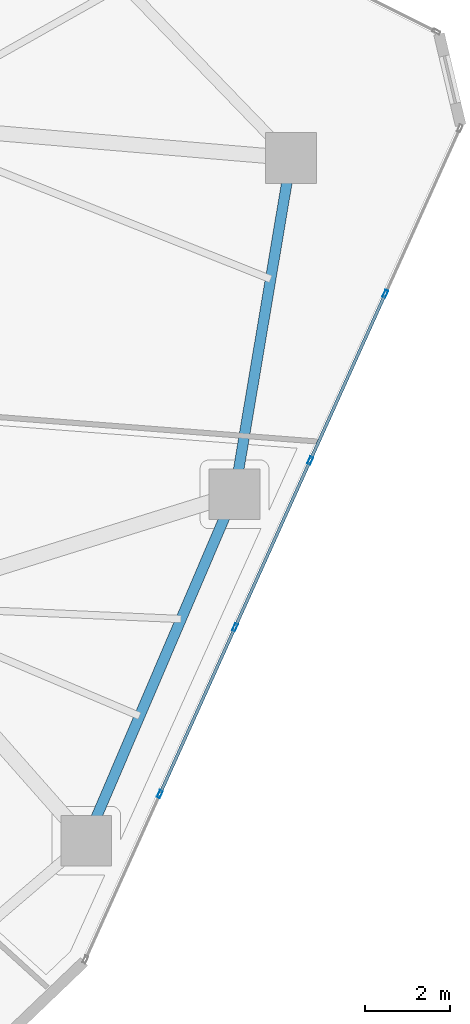
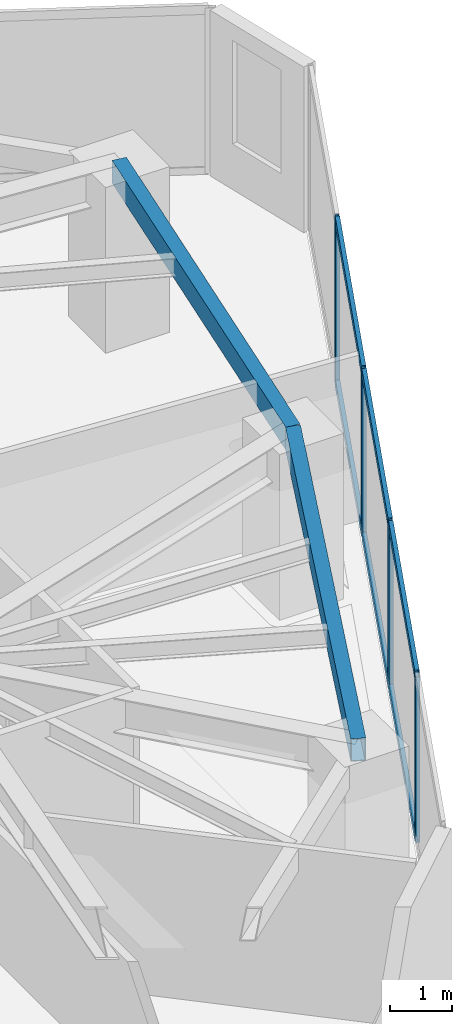
# One storey, part 10 of 22: 10 members, 2 beams, 1 element without a shape of its own.
"""IFC4 building model written with IfcOpenShell, lengths in metres."""

from ifc_helpers import new_model, si_unit, direction, frame, origin, origin_2d, place, context, subcontext, project, spatial, hollow_rectangle, extrude, source, transform, mapped, material, layer, layer_set, material_profile, profile_set, type_object, type_shapes, element, aggregate, save


model = new_model("IFC4")

# Units and contexts
model_context = context("Model", 3, precision=1e-05, world=origin(), true_north=direction((0.0, 1.0)))
body_context = subcontext(model_context, "Body", "Model", "MODEL_VIEW")
ifc_project = project(units=[si_unit("LENGTHUNIT", "METRE"), si_unit("AREAUNIT", "SQUARE_METRE"), si_unit("VOLUMEUNIT", "CUBIC_METRE"), si_unit("PLANEANGLEUNIT", "RADIAN"), si_unit("MASSUNIT", "GRAM", prefix="KILO")], contexts=[model_context])

# Site, building, storey
site_placement = place(None, origin())
site = spatial("IfcSite", under=ifc_project, at=site_placement, CompositionType="ELEMENT")
building_placement = place(site_placement, origin())
building = spatial("IfcBuilding", under=site, at=building_placement, Name="Talar Marvaseh", CompositionType="ELEMENT")
storey_placement = place(building_placement, frame((0.0, 0.0, 154.199951171875)))
storey = spatial("IfcBuildingStorey", under=building, at=storey_placement, Name="L40", CompositionType="ELEMENT", Elevation=154.199951171875)

# Beams
ifc_material_1 = material(Name="Steel S355", Category="steel")
ifc_material_profile_1 = material_profile(ifc_material_1, hollow_rectangle(XDim=0.25, YDim=0.449951171875, WallThickness=0.01611328125, at=origin_2d()), Name="RHS450x250x16")
ifc_profile_set_1 = profile_set([ifc_material_profile_1], Name="Steel S355")
beam_type = type_object("IfcBeamType", Name="Zone 2 Perimeter Spandrel Beam RHS450x250x16", PredefinedType="SPANDREL", material=ifc_profile_set_1)
beam_1_placement = place(storey_placement, frame((43.0439453125, 36.075927734375, 3.054931640625), z_axis=(-0.165641685249, -0.986186002795, 0.0), x_axis=(0.986186002795, -0.165641685249, 0.0)))
element("IfcBeam", 1, at=beam_1_placement, inside=storey, type_object=beam_type, Name="L40 Zone 2 Perimeter Spandrel Beam RHS450x250x16", PredefinedType="SPANDREL", context=body_context, shape_type="SweptSolid", body=[
    extrude(hollow_rectangle(XDim=0.25, YDim=0.449951171875, WallThickness=0.01611328125, at=origin_2d()), origin(), (0.0, 0.0, 1.0), 8.059326171875),
])
beam_2_placement = place(storey_placement, frame((41.708984375, 28.1279296875, 3.054931640625), z_axis=(-0.393369955619, -0.919380268451, 0.0), x_axis=(0.919380268451, -0.393369955619, 0.0)))
element("IfcBeam", 2, at=beam_2_placement, inside=storey, type_object=beam_type, Name="L40 Zone 2 Perimeter Spandrel Beam RHS450x250x16", PredefinedType="SPANDREL", context=body_context, shape_type="SweptSolid", body=[
    extrude(hollow_rectangle(XDim=0.25, YDim=0.449951171875, WallThickness=0.01611328125, at=origin_2d()), origin(), (0.0, 0.0, 1.0), 8.905029296875),
])

# Curtain wall, members
ifc_material_2 = material(Name="Architectural Aluminium", Category="aluminium")
ifc_layer = layer(ifc_material_2, 0.199951171875)
ifc_layer_set = layer_set([ifc_layer], Name="Architectural Aluminium")
curtain_wall_type = type_object("IfcCurtainWallType", Name="Unitised Acoustic Library Curtain Wall Z2", PredefinedType="NOTDEFINED", material=ifc_layer_set)
curtain_wall_placement = place(storey_placement, origin())
curtain_wall = element("IfcCurtainWall", 3, at=curtain_wall_placement, inside=storey, type_object=curtain_wall_type, Name="L40 Unitised Acoustic Library Curtain Wall Z2", PredefinedType="NOTDEFINED")
ifc_material_profile_2 = material_profile(ifc_material_2, hollow_rectangle(XDim=0.074951171875, YDim=0.179931640625, WallThickness=0.0048828125, at=origin_2d()), Name="RHS180x75x5")
ifc_profile_set_2 = profile_set([ifc_material_profile_2], Name="Architectural Aluminium")
member_type_1 = type_object("IfcMemberType", Name="Unitised Curtain Wall Transom RHS180x75x5", PredefinedType="USERDEFINED", material=ifc_profile_set_2)
shared_shape_1 = source(origin(), body_context, "Body", "SweptSolid", [
    extrude(hollow_rectangle(XDim=0.074951171875, YDim=0.179931640625, WallThickness=0.0048828125, at=origin_2d()), origin(), (0.0, 0.0, 1.0), 4.24853515625),
])
member_1_placement = place(storey_placement, frame((45.259033203125, 32.834716796875, 0.03759765625), z_axis=(-0.410878337072, -0.911690184287, 0.0), x_axis=(0.911690184287, -0.410878337072, 0.0)))
member_1 = element("IfcMember", 4, at=member_1_placement, type_object=member_type_1, Name="CW-Z2 transom 2.1", ObjectType="TRANSOM", PredefinedType="USERDEFINED", context=body_context, shape_type="MappedRepresentation", body=[
    mapped(shared_shape_1, transform((0.0, 0.0, 0.0), x_axis=(1.0, 0.0, 0.0), y_axis=(0.0, 1.0, 0.0), z_axis=(0.0, 0.0, 1.0), scale=1.0)),
])
member_2_placement = place(storey_placement, frame((45.259033203125, 32.834716796875, 3.242431640625), z_axis=(-0.410878337072, -0.911690184287, 0.0), x_axis=(0.911690184287, -0.410878337072, 0.0)))
member_2 = element("IfcMember", 5, at=member_2_placement, type_object=member_type_1, Name="CW-Z2 transom 2.2", ObjectType="TRANSOM", PredefinedType="USERDEFINED", context=body_context, shape_type="MappedRepresentation", body=[
    mapped(shared_shape_1, transform((0.0, 0.0, 0.0), x_axis=(1.0, 0.0, 0.0), y_axis=(0.0, 1.0, 0.0), z_axis=(0.0, 0.0, 1.0), scale=1.0)),
])
member_3_placement = place(storey_placement, frame((41.706298828125, 24.951171875, 0.03759765625), z_axis=(-0.410878337072, -0.911690184287, 0.0), x_axis=(0.911690184287, -0.410878337072, 0.0)))
member_3 = element("IfcMember", 6, at=member_3_placement, type_object=member_type_1, Name="CW-Z2 transom 4.1", ObjectType="TRANSOM", PredefinedType="USERDEFINED", context=body_context, shape_type="MappedRepresentation", body=[
    mapped(shared_shape_1, transform((0.0, 0.0, 0.0), x_axis=(1.0, 0.0, 0.0), y_axis=(0.0, 1.0, 0.0), z_axis=(0.0, 0.0, 1.0), scale=1.0)),
])
member_4_placement = place(storey_placement, frame((41.706298828125, 24.951171875, 3.242431640625), z_axis=(-0.410878337072, -0.911690184287, 0.0), x_axis=(0.911690184287, -0.410878337072, 0.0)))
member_4 = element("IfcMember", 7, at=member_4_placement, type_object=member_type_1, Name="CW-Z2 transom 4.2", ObjectType="TRANSOM", PredefinedType="USERDEFINED", context=body_context, shape_type="MappedRepresentation", body=[
    mapped(shared_shape_1, transform((0.0, 0.0, 0.0), x_axis=(1.0, 0.0, 0.0), y_axis=(0.0, 1.0, 0.0), z_axis=(0.0, 0.0, 1.0), scale=1.0)),
])
shared_shape_2 = source(origin(), body_context, "Body", "SweptSolid", [
    extrude(hollow_rectangle(XDim=0.074951171875, YDim=0.179931640625, WallThickness=0.0048828125, at=origin_2d()), origin(), (0.0, 0.0, 1.0), 4.248779296875),
])
type_shapes(member_type_1, [shared_shape_1, shared_shape_2])
member_5_placement = place(storey_placement, frame((43.482666015625, 28.89306640625, 0.03759765625), z_axis=(-0.410856811868, -0.911699884908, 0.0), x_axis=(0.911699884908, -0.410856811868, 0.0)))
member_5 = element("IfcMember", 8, at=member_5_placement, type_object=member_type_1, Name="CW-Z2 transom 3.1", ObjectType="TRANSOM", PredefinedType="USERDEFINED", context=body_context, shape_type="MappedRepresentation", body=[
    mapped(shared_shape_2, transform((0.0, 0.0, 0.0), x_axis=(1.0, 0.0, 0.0), y_axis=(0.0, 1.0, 0.0), z_axis=(0.0, 0.0, 1.0), scale=1.0)),
])
member_6_placement = place(storey_placement, frame((43.482666015625, 28.89306640625, 3.242431640625), z_axis=(-0.410856811868, -0.911699884908, 0.0), x_axis=(0.911699884908, -0.410856811868, 0.0)))
member_6 = element("IfcMember", 9, at=member_6_placement, type_object=member_type_1, Name="CW-Z2 transom 3.2", ObjectType="TRANSOM", PredefinedType="USERDEFINED", context=body_context, shape_type="MappedRepresentation", body=[
    mapped(shared_shape_2, transform((0.0, 0.0, 0.0), x_axis=(1.0, 0.0, 0.0), y_axis=(0.0, 1.0, 0.0), z_axis=(0.0, 0.0, 1.0), scale=1.0)),
])
ifc_material_profile_3 = material_profile(ifc_material_2, hollow_rectangle(XDim=0.074951171875, YDim=0.179931640625, WallThickness=0.0048828125, at=origin_2d()), Name="RHS180x75x5")
ifc_profile_set_3 = profile_set([ifc_material_profile_3], Name="Architectural Aluminium")
member_type_2 = type_object("IfcMemberType", Name="Unitised Curtain Wall Standard Mullion RHS180x75x5", PredefinedType="MULLION", material=ifc_profile_set_3)
shared_shape_3 = source(origin(), body_context, "Body", "SweptSolid", [
    extrude(hollow_rectangle(XDim=0.074951171875, YDim=0.179931640625, WallThickness=0.0048828125, at=origin_2d()), origin(), (0.0, 0.0, 1.0), 3.280029296875),
])
type_shapes(member_type_2, [shared_shape_3])
member_7_placement = place(storey_placement, frame((45.2744140625, 32.868896484375, 0.0), z_axis=(0.0, 0.0, 1.0), x_axis=(0.911697367149, -0.410862398783, 0.0)))
member_7 = element("IfcMember", 10, at=member_7_placement, type_object=member_type_2, Name="CW-Z2 mullion 2", PredefinedType="MULLION", context=body_context, shape_type="MappedRepresentation", body=[
    mapped(shared_shape_3, transform((0.0, 0.0, 0.0), x_axis=(1.0, 0.0, 0.0), y_axis=(0.0, 1.0, 0.0), z_axis=(0.0, 0.0, 1.0), scale=1.0)),
])
member_8_placement = place(storey_placement, frame((43.498046875, 28.92724609375, 0.0), z_axis=(0.0, 0.0, 1.0), x_axis=(0.911697367149, -0.410862398783, 0.0)))
member_8 = element("IfcMember", 11, at=member_8_placement, type_object=member_type_2, Name="CW-Z2 mullion 3", PredefinedType="MULLION", context=body_context, shape_type="MappedRepresentation", body=[
    mapped(shared_shape_3, transform((0.0, 0.0, 0.0), x_axis=(1.0, 0.0, 0.0), y_axis=(0.0, 1.0, 0.0), z_axis=(0.0, 0.0, 1.0), scale=1.0)),
])
member_9_placement = place(storey_placement, frame((41.7216796875, 24.9853515625, 0.0), z_axis=(0.0, 0.0, 1.0), x_axis=(0.911697367149, -0.410862398783, 0.0)))
member_9 = element("IfcMember", 12, at=member_9_placement, type_object=member_type_2, Name="CW-Z2 mullion 4", PredefinedType="MULLION", context=body_context, shape_type="MappedRepresentation", body=[
    mapped(shared_shape_3, transform((0.0, 0.0, 0.0), x_axis=(1.0, 0.0, 0.0), y_axis=(0.0, 1.0, 0.0), z_axis=(0.0, 0.0, 1.0), scale=1.0)),
])
member_10_placement = place(storey_placement, frame((39.9453125, 21.043701171875, 0.0), z_axis=(0.0, 0.0, 1.0), x_axis=(0.911697367149, -0.410862398783, 0.0)))
member_10 = element("IfcMember", 13, at=member_10_placement, type_object=member_type_2, Name="CW-Z2 mullion 5", PredefinedType="MULLION", context=body_context, shape_type="MappedRepresentation", body=[
    mapped(shared_shape_3, transform((0.0, 0.0, 0.0), x_axis=(1.0, 0.0, 0.0), y_axis=(0.0, 1.0, 0.0), z_axis=(0.0, 0.0, 1.0), scale=1.0)),
])
aggregate(curtain_wall, [member_7, member_8, member_9, member_10, member_1, member_2, member_5, member_6, member_3, member_4])

save(model, "model.ifc")
